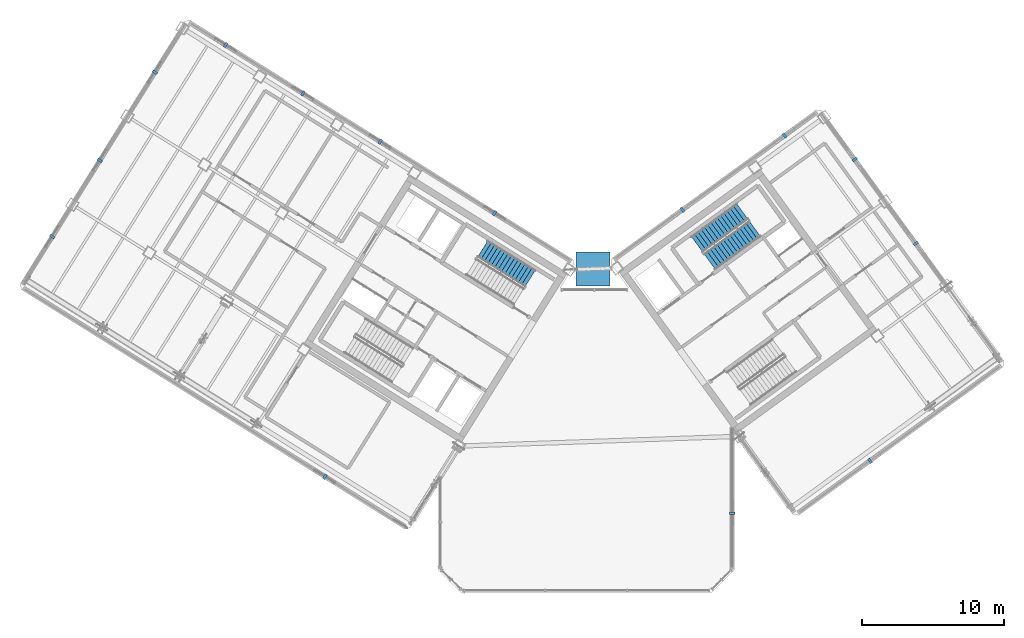
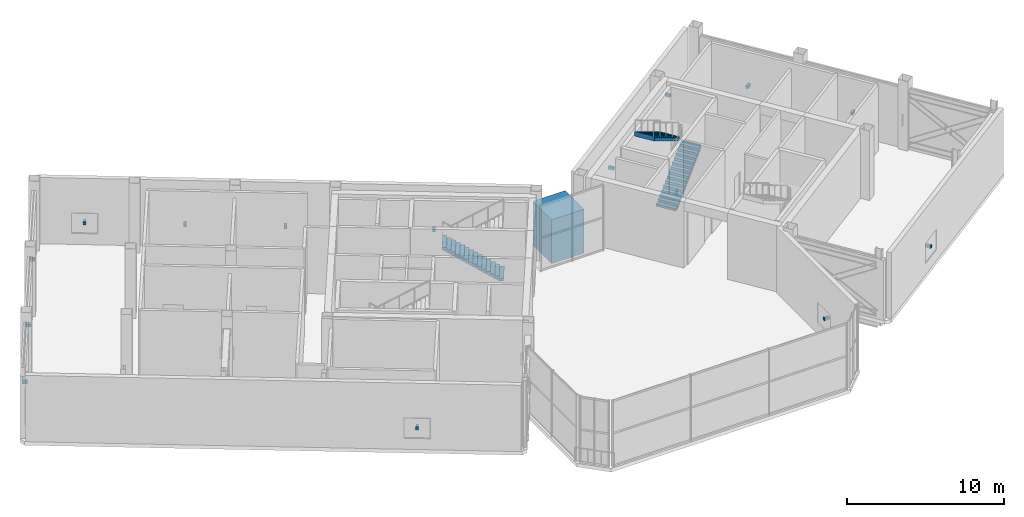
# One storey, part 24 of 32: 15 discrete accessories, 3 stair flights, 2 elements without a shape of their own.
"""IFC4 building model written with IfcOpenShell, lengths in metres."""

from ifc_helpers import new_model, si_unit, direction, frame, origin, origin_2d, place, context, subcontext, project, spatial, polyline, rectangle, outline, extrude, source, transform, mapped, material, type_object, element, aggregate, save


model = new_model("IFC4")

# Units and contexts
model_context = context("Model", 3, precision=1e-05, world=origin(), true_north=direction((0.0, 1.0)))
body_context = subcontext(model_context, "Body", "Model", "MODEL_VIEW")
ifc_project = project(units=[si_unit("LENGTHUNIT", "METRE"), si_unit("AREAUNIT", "SQUARE_METRE"), si_unit("VOLUMEUNIT", "CUBIC_METRE"), si_unit("PLANEANGLEUNIT", "RADIAN"), si_unit("MASSUNIT", "GRAM", prefix="KILO")], contexts=[model_context])

# Site, building, storey
site_placement = place(None, origin())
site = spatial("IfcSite", under=ifc_project, at=site_placement, CompositionType="ELEMENT")
building_placement = place(site_placement, origin())
building = spatial("IfcBuilding", under=site, at=building_placement, Name="Tlacorven Tower", CompositionType="ELEMENT")
storey_placement = place(building_placement, frame((0.0, 0.0, 245.699951171875)))
storey = spatial("IfcBuildingStorey", under=building, at=storey_placement, Name="L62", CompositionType="ELEMENT", Elevation=245.699951171875)

# Stair, stair flight
ifc_material_1 = material(Name="Concrete C40/50", Category="concrete")
stair_type = type_object("IfcStairType", Name="ST-CORE-DLG", PredefinedType="HALF_TURN_STAIR", material=ifc_material_1)
stair_1_placement = place(storey_placement, origin())
stair_1 = element("IfcStair", 1, at=stair_1_placement, inside=storey, type_object=stair_type, Name="L62 Protected Exit Stair West 2", PredefinedType="HALF_TURN_STAIR")
stair_flight_type = type_object("IfcStairFlightType", Name="SFL-RC-1380", PredefinedType="STRAIGHT", material=ifc_material_1)
shared_shape_1 = source(origin(), body_context, "Body", "SweptSolid", [
    extrude(outline(polyline([(-0.0029296875, -0.0029296875), (-0.0029296875, 0.179931640625), (0.280029296875, 0.179931640625), (0.280029296875, 0.360107421875), (0.56005859375, 0.360107421875), (0.56005859375, 0.5400390625), (0.840087890625, 0.5400390625), (0.840087890625, 0.719970703125), (1.1201171875, 0.719970703125), (1.1201171875, 0.89990234375), (1.39990234375, 0.89990234375), (1.39990234375, 1.080078125), (1.679931640625, 1.080078125), (1.679931640625, 1.260009765625), (1.9599609375, 1.260009765625), (1.9599609375, 1.43994140625), (2.239990234375, 1.43994140625), (2.239990234375, 1.6201171875), (2.52001953125, 1.6201171875), (2.52001953125, 1.800048828125), (2.800048828125, 1.800048828125), (2.800048828125, 1.97998046875), (3.080078125, 1.97998046875), (3.080078125, 2.159912109375), (3.360107421875, 2.159912109375), (3.360107421875, 2.340087890625), (3.639892578125, 2.340087890625), (3.639892578125, 2.52001953125), (3.919921875, 2.52001953125), (3.919921875, 2.699951171875), (3.923095703125, 2.699951171875), (3.923095703125, 2.329833984375), (3.919921875, 2.329833984375), (0.295654296875, 0.0), (0.295654296875, -0.0029296875), (-0.0029296875, -0.0029296875)])), frame((0.0, 0.68994140625, 0.0), z_axis=(0.0, -1.0, 0.0), x_axis=(1.0, 0.0, 0.0)), (0.0, 0.0, 1.0), 1.3798828125),
])
stair_flight_1_placement = place(storey_placement, frame((38.051513671875, 23.852294921875, 0.0), z_axis=(0.0, 0.0, 1.0), x_axis=(-0.848048096156, 0.529919264233, 0.0)))
stair_flight_1 = element("IfcStairFlight", 2, at=stair_flight_1_placement, type_object=stair_flight_type, Name="ST-W2 flight 1", NumberOfRisers=15, NumberOfTreads=14, PredefinedType="STRAIGHT", RiserHeight=0.18, TreadLength=0.28, context=body_context, shape_type="MappedRepresentation", body=[
    mapped(shared_shape_1, transform((0.0, 0.0, 0.0), scale=1.0)),
])
aggregate(stair_1, [stair_flight_1])

# Stair, stair flights
stair_2_placement = place(storey_placement, origin())
stair_2 = element("IfcStair", 3, at=stair_2_placement, inside=storey, type_object=stair_type, Name="L62 Protected Exit Stair East 1", PredefinedType="HALF_TURN_STAIR")
stair_flight_2_placement = place(storey_placement, frame((50.6533203125, 25.0400390625, 0.0), z_axis=(0.0, 0.0, 1.0), x_axis=(0.809016994375, 0.587785252292, 0.0)))
stair_flight_2 = element("IfcStairFlight", 4, at=stair_flight_2_placement, type_object=stair_flight_type, Name="ST-E1 flight 1", NumberOfRisers=15, NumberOfTreads=14, PredefinedType="STRAIGHT", RiserHeight=0.18, TreadLength=0.28, context=body_context, shape_type="MappedRepresentation", body=[
    mapped(shared_shape_1, transform((0.0, 0.0, 0.0), scale=1.0)),
])
stair_flight_3_placement = place(storey_placement, frame((52.943115234375, 28.5576171875, 2.699951171875), z_axis=(0.0, 0.0, 1.0), x_axis=(-0.809016994375, -0.587785252292, 0.0)))
stair_flight_3 = element("IfcStairFlight", 5, at=stair_flight_3_placement, type_object=stair_flight_type, Name="ST-E1 flight 2", NumberOfRisers=15, NumberOfTreads=14, PredefinedType="STRAIGHT", RiserHeight=0.18, TreadLength=0.28, context=body_context, shape_type="MappedRepresentation", body=[
    mapped(shared_shape_1, transform((0.0, 0.0, 0.0), scale=1.0)),
])
aggregate(stair_2, [stair_flight_2, stair_flight_3])

# Discrete accessories
ifc_material_2 = material(Name="Aluminium 6063-T6 anodised", Category="aluminium")
discrete_accessory_type_1 = type_object("IfcDiscreteAccessoryType", Name="ACC-TRB-01", PredefinedType="BRACKET", material=ifc_material_2)
shared_shape_2 = source(origin(), body_context, "Body", "SweptSolid", [
    extrude(rectangle(XDim=2.39990234375, YDim=2.39990234375, at=origin_2d()), origin(), (0.0, 0.0, 1.0), 3.39990234375),
])
discrete_accessory_placement = place(storey_placement, frame((42.453369140625, 24.526611328125, 0.050048828125), z_axis=(0.0, 0.0, 1.0), x_axis=(1.0, 0.0, 0.0)))
element("IfcDiscreteAccessory", 6, at=discrete_accessory_placement, inside=storey, type_object=discrete_accessory_type_1, Name="L62 Vertical-Axis Venturi Wind Turbine Rotor", PredefinedType="BRACKET", context=body_context, shape_type="MappedRepresentation", body=[
    mapped(shared_shape_2, transform((0.0, 0.0, 0.0), scale=1.0)),
])
ifc_material_3 = material(Name="Steel S355J2", Category="steel")
discrete_accessory_type_2 = type_object("IfcDiscreteAccessoryType", Name="ACC-BRK-01", PredefinedType="BRACKET", material=ifc_material_3)
shared_shape_3 = source(origin(), body_context, "Body", "SweptSolid", [
    extrude(rectangle(XDim=0.179931640625, YDim=0.360107421875, at=origin_2d()), origin(), (0.0, 0.0, 1.0), 0.219970703125),
])
for number, where, z_axis, x_axis, name in (
    (7, (23.643310546875, 9.94384765625, 1.5400390625), (0.0, 0.0, 1.0), (-0.84804812172, 0.529919223323, 0.0), "L62 Louvre Fixing Bracket 1.1"),
    (8, (4.50439453125, 26.796875, 1.5400390625), (0.0, 0.0, 1.0), (0.529918940959, 0.84804829816, 0.0), "L62 Louvre Fixing Bracket 2.1"),
    (9, (7.8427734375, 32.1396484375, 1.5400390625), (0.0, 0.0, 1.0), (0.529918940959, 0.84804829816, 0.0), "L62 Louvre Fixing Bracket 2.2"),
    (10, (11.711181640625, 38.330322265625, 1.5400390625), (0.0, 0.0, 1.0), (0.529918940959, 0.84804829816, 0.0), "L62 Louvre Fixing Bracket 2.3"),
    (11, (16.677001953125, 40.239013671875, 1.5400390625), (0.0, 0.0, 1.0), (0.84804812172, -0.529919223323, 0.0), "L62 Louvre Fixing Bracket 3.1"),
    (12, (22.1044921875, 36.847412109375, 1.5400390625), (0.0, 0.0, 1.0), (0.84804812172, -0.529919223323, 0.0), "L62 Louvre Fixing Bracket 3.2"),
    (13, (27.5322265625, 33.4560546875, 1.5400390625), (0.0, 0.0, 1.0), (0.84804812172, -0.529919223323, 0.0), "L62 Louvre Fixing Bracket 3.3"),
    (14, (35.55810546875, 28.440673828125, 1.5400390625), (0.0, 0.0, 1.0), (0.84804812172, -0.529919223323, 0.0), "L62 Louvre Fixing Bracket 3.4"),
    (15, (48.735107421875, 28.677001953125, 1.5400390625), (0.0, 0.0, 1.0), (0.809017097486, 0.587785110372, 0.0), "L62 Louvre Fixing Bracket 4.1"),
    (16, (55.90625, 33.88720703125, 1.5400390625), (0.0, 0.0, 1.0), (0.809017097486, 0.587785110372, 0.0), "L62 Louvre Fixing Bracket 4.2"),
    (17, (60.83154296875, 32.21240234375, 1.5400390625), (0.0, 0.0, 1.0), (0.587785363163, -0.809016913823, 0.0), "L62 Louvre Fixing Bracket 5.1"),
    (18, (65.122314453125, 26.306396484375, 1.5400390625), (0.0, 0.0, 1.0), (0.587785363163, -0.809016913823, 0.0), "L62 Louvre Fixing Bracket 5.2"),
    (19, (61.909912109375, 11.0556640625, 1.5400390625), (0.0, 0.0, 1.0), (-0.809017097486, -0.587785110372, 0.0), "L62 Louvre Fixing Bracket 6.1"),
    (20, (52.239990234375, 7.374267578125, 1.5400390625), (0.0, 0.0, 1.0), (0.0, -1.0, 0.0), "L62 Louvre Fixing Bracket 8.1"),
):
    element("IfcDiscreteAccessory", number, at=place(storey_placement, frame(where, z_axis=z_axis, x_axis=x_axis)), inside=storey, type_object=discrete_accessory_type_2, Name=name, PredefinedType="BRACKET", context=body_context, shape_type="MappedRepresentation", body=[
        mapped(shared_shape_3, transform((0.0, 0.0, 0.0), scale=1.0)),
    ])

save(model, "model.ifc")
